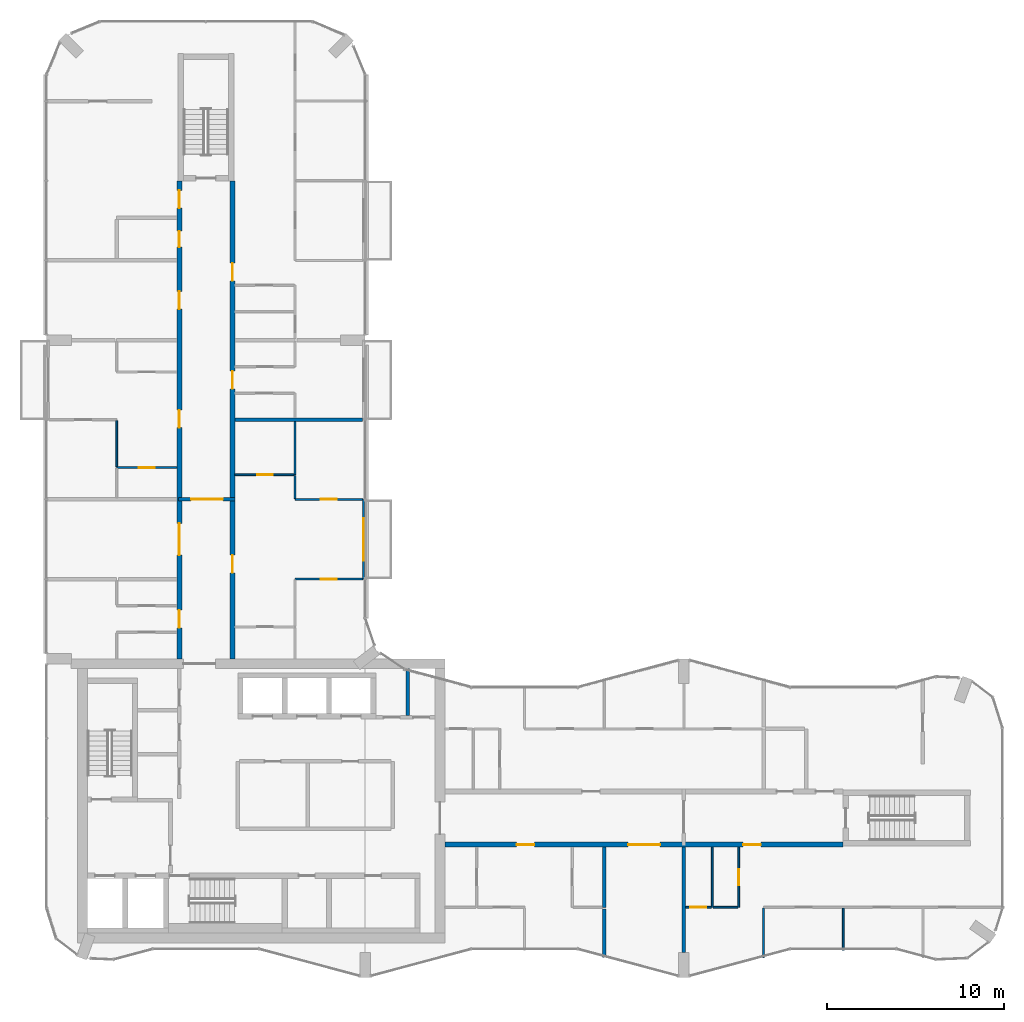
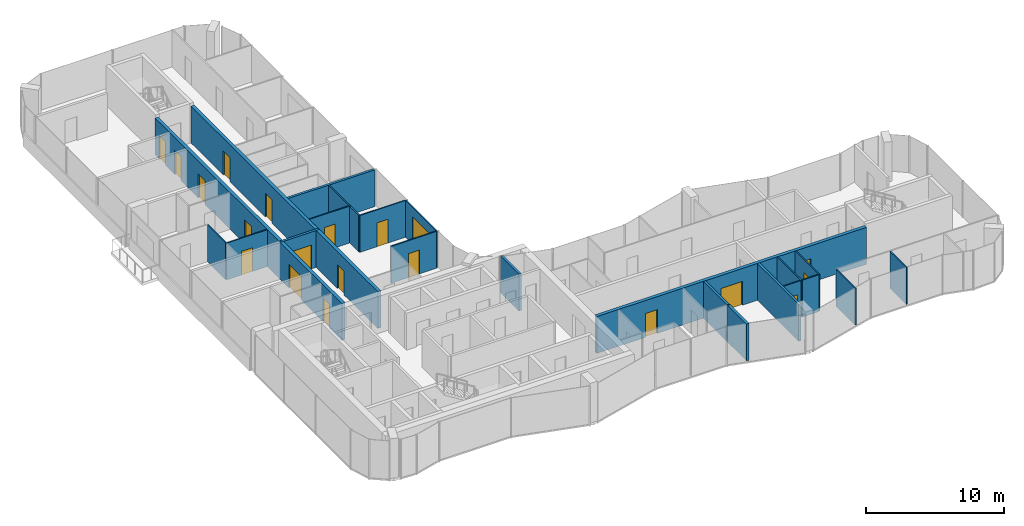
# One storey, part 11 of 15: 23 walls, 20 doors, 20 openings.
"""IFC4 building model written with IfcOpenShell, lengths in metres."""

from ifc_helpers import new_model, si_unit, direction, frame, frame_2d, origin, place, context, subcontext, project, spatial, rectangle, extrude, material, layer, layer_set, type_object, element, fill, save


model = new_model("IFC4")

# Units and contexts
model_context = context("Model", 3, precision=1e-05, world=origin(), true_north=direction((0.0, 1.0)))
body_context = subcontext(model_context, "Body", "Model", "MODEL_VIEW")
ifc_project = project(units=[si_unit("LENGTHUNIT", "METRE"), si_unit("AREAUNIT", "SQUARE_METRE"), si_unit("VOLUMEUNIT", "CUBIC_METRE"), si_unit("PLANEANGLEUNIT", "RADIAN"), si_unit("MASSUNIT", "GRAM", prefix="KILO")], contexts=[model_context])

# Site, building, storey
site_placement = place(None, origin())
site = spatial("IfcSite", under=ifc_project, at=site_placement, CompositionType="ELEMENT")
building_placement = place(site_placement, origin())
building = spatial("IfcBuilding", under=site, at=building_placement, Name="Plateau Cross Towers", CompositionType="ELEMENT")
storey_placement = place(building_placement, frame((0.0, 0.0, 201.39990234375)))
storey = spatial("IfcBuildingStorey", under=building, at=storey_placement, Name="L52", CompositionType="ELEMENT", Elevation=201.39990234375)

# Wall, opening, door
ifc_material_1 = material(Name="Aluminium framed glazing", Category="aluminium")
ifc_layer_1 = layer(ifc_material_1, 0.10009765625)
ifc_layer_set_1 = layer_set([ifc_layer_1], Name="Aluminium framed glazing")
wall_type_1 = type_object("IfcWallType", Name="Balcony screen wall 100", PredefinedType="STANDARD", material=ifc_layer_set_1)
wall_1_placement = place(storey_placement, frame((17.89990234375, 27.0, 0.0), z_axis=(0.0, 0.0, 1.0), x_axis=(0.0, -1.0, 0.0)))
wall_1 = element("IfcWall", 1, at=wall_1_placement, inside=storey, type_object=wall_type_1, Name="Balcony screen wall A-BAL-L52-02", PredefinedType="STANDARD", context=body_context, shape_type="SweptSolid", body=[
    extrude(rectangle(XDim=4.5, YDim=0.10009765625, at=frame_2d((2.25, 0.0))), origin(), (0.0, 0.0, 1.0), 3.25),
])
opening_1_placement = place(wall_1_placement, frame((1.050048828125, 0.0, 0.0)))
opening_1 = element("IfcOpeningElement", 2, at=opening_1_placement, cuts=wall_1, Name="Opening D-B24", PredefinedType="OPENING", context=body_context, shape_type="SweptSolid", body=[
    extrude(rectangle(XDim=2.39990234375, YDim=2.39990234375, at=frame_2d((1.199951171875, 1.199951171875))), frame((0.0, 0.06005859375, 0.0), z_axis=(0.0, -1.0, 0.0), x_axis=(1.0, 0.0, 0.0)), (0.0, 0.0, 1.0), 0.1201171875),
])
ifc_material_2 = material(Name="Aluminium frame, double glazing", Category="aluminium")
door_type_1 = type_object("IfcDoorType", Name="Balcony sliding door 2400", OperationType="NOTDEFINED", PredefinedType="DOOR", material=ifc_material_2)
door_1_placement = place(opening_1_placement, origin())
door_1 = element("IfcDoor", 3, at=door_1_placement, inside=storey, type_object=door_type_1, Name="Balcony door A-BAL-L52-02", OperationType="SINGLE_SWING_LEFT", OverallHeight=2.39990234375, OverallWidth=2.39990234375, PredefinedType="DOOR", context=body_context, shape_type="SweptSolid", body=[
    extrude(rectangle(XDim=2.39990234375, YDim=2.39990234375, at=frame_2d((1.199951171875, 1.199951171875))), frame((0.0, 0.02490234375, 0.0), z_axis=(0.0, -1.0, 0.0), x_axis=(1.0, 0.0, 0.0)), (0.0, 0.0, 1.0), 0.050048828125),
])
fill(opening_1, door_1)

# Wall
ifc_material_3 = material(Name="Concrete block, plastered both sides", Category="concrete")
ifc_layer_2 = layer(ifc_material_3, 0.199951171875)
ifc_layer_set_2 = layer_set([ifc_layer_2], Name="Concrete block, plastered both sides")
wall_type_2 = type_object("IfcWallType", Name="Core partition 200", PredefinedType="PARTITIONING", material=ifc_layer_set_2)
wall_2_placement = place(storey_placement, frame((20.39990234375, 14.800048828125, 0.0), z_axis=(0.0, 0.0, 1.0), x_axis=(0.0, 1.0, 0.0)))
element("IfcWall", 4, at=wall_2_placement, inside=storey, type_object=wall_type_2, Name="Core partition", PredefinedType="PARTITIONING", context=body_context, shape_type="SweptSolid", body=[
    extrude(rectangle(XDim=2.64990234375, YDim=0.199951171875, at=frame_2d((1.324951171875, 0.0))), origin(), (0.0, 0.0, 1.0), 3.25),
])

# Wall, openings, doors
ifc_material_4 = material(Name="Concrete C60/75", Category="concrete")
ifc_layer_3 = layer(ifc_material_4, 0.27490234375)
ifc_layer_set_3 = layer_set([ifc_layer_3], Name="Concrete C60/75")
wall_type_3 = type_object("IfcWallType", Name="Corridor wall 275", PredefinedType="SHEAR", material=ifc_layer_set_3)
wall_3_placement = place(storey_placement, frame((22.5, 7.5, 0.0), z_axis=(0.0, 0.0, 1.0), x_axis=(1.0, 0.0, 0.0)))
wall_3 = element("IfcWall", 5, at=wall_3_placement, inside=storey, type_object=wall_type_3, Name="A-cw-S1@L52", PredefinedType="SHEAR", context=body_context, shape_type="SweptSolid", body=[
    extrude(rectangle(XDim=22.5, YDim=0.27490234375, at=frame_2d((11.25, 0.0))), origin(), (0.0, 0.0, 1.0), 3.25),
])
opening_2_placement = place(wall_3_placement, frame((4.050048828125, 0.0, 0.0)))
opening_2 = element("IfcOpeningElement", 6, at=opening_2_placement, cuts=wall_3, Name="Opening 52-01", PredefinedType="OPENING", context=body_context, shape_type="SweptSolid", body=[
    extrude(rectangle(XDim=1.0, YDim=2.10009765625, at=frame_2d((0.5, 1.050048828125))), frame((0.0, 0.1474609375, 0.0), z_axis=(0.0, -1.0, 0.0), x_axis=(1.0, 0.0, 0.0)), (0.0, 0.0, 1.0), 0.294921875),
])
opening_3_placement = place(wall_3_placement, frame((10.35009765625, 0.0, 0.0)))
opening_3 = element("IfcOpeningElement", 7, at=opening_3_placement, cuts=wall_3, Name="Opening 52-02", PredefinedType="OPENING", context=body_context, shape_type="SweptSolid", body=[
    extrude(rectangle(XDim=1.800048828125, YDim=2.10009765625, at=frame_2d((0.89990234375, 1.050048828125))), frame((0.0, 0.1474609375, 0.0), z_axis=(0.0, -1.0, 0.0), x_axis=(1.0, 0.0, 0.0)), (0.0, 0.0, 1.0), 0.294921875),
])
opening_4_placement = place(wall_3_placement, frame((16.85009765625, 0.0, 0.0)))
opening_4 = element("IfcOpeningElement", 8, at=opening_4_placement, cuts=wall_3, Name="Opening 52-03", PredefinedType="OPENING", context=body_context, shape_type="SweptSolid", body=[
    extrude(rectangle(XDim=1.0, YDim=2.10009765625, at=frame_2d((0.5, 1.050048828125))), frame((0.0, 0.1474609375, 0.0), z_axis=(0.0, -1.0, 0.0), x_axis=(1.0, 0.0, 0.0)), (0.0, 0.0, 1.0), 0.294921875),
])
ifc_material_5 = material(Name="Timber, fire-resisting leaf", Category="wood")
door_type_2 = type_object("IfcDoorType", Name="Flat entrance door 1000", OperationType="NOTDEFINED", PredefinedType="DOOR", material=ifc_material_5)
door_2_placement = place(opening_2_placement, origin())
door_2 = element("IfcDoor", 9, at=door_2_placement, inside=storey, type_object=door_type_2, Name="Door 52-01", OperationType="SINGLE_SWING_LEFT", OverallHeight=2.10009765625, OverallWidth=1.0, PredefinedType="DOOR", context=body_context, shape_type="SweptSolid", body=[
    extrude(rectangle(XDim=1.0, YDim=2.10009765625, at=frame_2d((0.5, 1.050048828125))), frame((0.0, 0.02490234375, 0.0), z_axis=(0.0, -1.0, 0.0), x_axis=(1.0, 0.0, 0.0)), (0.0, 0.0, 1.0), 0.050048828125),
])
fill(opening_2, door_2)
door_3_placement = place(opening_4_placement, origin())
door_3 = element("IfcDoor", 10, at=door_3_placement, inside=storey, type_object=door_type_2, Name="Door 52-03", OperationType="SINGLE_SWING_RIGHT", OverallHeight=2.10009765625, OverallWidth=1.0, PredefinedType="DOOR", context=body_context, shape_type="SweptSolid", body=[
    extrude(rectangle(XDim=1.0, YDim=2.10009765625, at=frame_2d((0.5, 1.050048828125))), frame((0.0, 0.02490234375, 0.0), z_axis=(0.0, -1.0, 0.0), x_axis=(1.0, 0.0, 0.0)), (0.0, 0.0, 1.0), 0.050048828125),
])
fill(opening_4, door_3)
ifc_material_6 = material(Name="Timber, fire-resisting leaves", Category="wood")
door_type_3 = type_object("IfcDoorType", Name="Flat floor fire door pair 1800", OperationType="NOTDEFINED", PredefinedType="DOOR", material=ifc_material_6)
door_4_placement = place(opening_3_placement, origin())
door_4 = element("IfcDoor", 11, at=door_4_placement, inside=storey, type_object=door_type_3, Name="Door 52-02", OperationType="SINGLE_SWING_LEFT", OverallHeight=2.10009765625, OverallWidth=1.800048828125, PredefinedType="DOOR", context=body_context, shape_type="SweptSolid", body=[
    extrude(rectangle(XDim=1.800048828125, YDim=2.10009765625, at=frame_2d((0.89990234375, 1.050048828125))), frame((0.0, 0.02490234375, 0.0), z_axis=(0.0, -1.0, 0.0), x_axis=(1.0, 0.0, 0.0)), (0.0, 0.0, 1.0), 0.050048828125),
])
fill(opening_3, door_4)

wall_4_placement = place(storey_placement, frame((7.5, 18.0, 0.0), z_axis=(0.0, 0.0, 1.0), x_axis=(0.0, 1.0, 0.0)))
wall_4 = element("IfcWall", 12, at=wall_4_placement, inside=storey, type_object=wall_type_3, Name="A-cw-W1@L52", PredefinedType="SHEAR", context=body_context, shape_type="SweptSolid", body=[
    extrude(rectangle(XDim=27.0, YDim=0.27490234375, at=frame_2d((13.5, 0.0))), origin(), (0.0, 0.0, 1.0), 3.25),
])
opening_5_placement = place(wall_4_placement, frame((1.75, 0.0, 0.0)))
opening_5 = element("IfcOpeningElement", 13, at=opening_5_placement, cuts=wall_4, Name="Opening 52-07", PredefinedType="OPENING", context=body_context, shape_type="SweptSolid", body=[
    extrude(rectangle(XDim=1.0, YDim=2.10009765625, at=frame_2d((0.5, 1.050048828125))), frame((0.0, 0.1474609375, 0.0), z_axis=(0.0, -1.0, 0.0), x_axis=(1.0, 0.0, 0.0)), (0.0, 0.0, 1.0), 0.294921875),
])
opening_6_placement = place(wall_4_placement, frame((5.85009765625, 0.0, 0.0)))
opening_6 = element("IfcOpeningElement", 14, at=opening_6_placement, cuts=wall_4, Name="Opening 52-08", PredefinedType="OPENING", context=body_context, shape_type="SweptSolid", body=[
    extrude(rectangle(XDim=1.800048828125, YDim=2.10009765625, at=frame_2d((0.89990234375, 1.050048828125))), frame((0.0, 0.1474609375, 0.0), z_axis=(0.0, -1.0, 0.0), x_axis=(1.0, 0.0, 0.0)), (0.0, 0.0, 1.0), 0.294921875),
])
opening_7_placement = place(wall_4_placement, frame((13.050048828125, 0.0, 0.0)))
opening_7 = element("IfcOpeningElement", 15, at=opening_7_placement, cuts=wall_4, Name="Opening 52-09", PredefinedType="OPENING", context=body_context, shape_type="SweptSolid", body=[
    extrude(rectangle(XDim=1.0, YDim=2.10009765625, at=frame_2d((0.5, 1.050048828125))), frame((0.0, 0.1474609375, 0.0), z_axis=(0.0, -1.0, 0.0), x_axis=(1.0, 0.0, 0.0)), (0.0, 0.0, 1.0), 0.294921875),
])
opening_8_placement = place(wall_4_placement, frame((19.75, 0.0, 0.0)))
opening_8 = element("IfcOpeningElement", 16, at=opening_8_placement, cuts=wall_4, Name="Opening 52-10", PredefinedType="OPENING", context=body_context, shape_type="SweptSolid", body=[
    extrude(rectangle(XDim=1.0, YDim=2.10009765625, at=frame_2d((0.5, 1.050048828125))), frame((0.0, 0.1474609375, 0.0), z_axis=(0.0, -1.0, 0.0), x_axis=(1.0, 0.0, 0.0)), (0.0, 0.0, 1.0), 0.294921875),
])
opening_9_placement = place(wall_4_placement, frame((23.25, 0.0, 0.0)))
opening_9 = element("IfcOpeningElement", 17, at=opening_9_placement, cuts=wall_4, Name="Opening 52-11", PredefinedType="OPENING", context=body_context, shape_type="SweptSolid", body=[
    extrude(rectangle(XDim=0.89990234375, YDim=2.10009765625, at=frame_2d((0.449951171875, 1.050048828125))), frame((0.0, 0.1474609375, 0.0), z_axis=(0.0, -1.0, 0.0), x_axis=(1.0, 0.0, 0.0)), (0.0, 0.0, 1.0), 0.294921875),
])
opening_10_placement = place(wall_4_placement, frame((25.449951171875, 0.0, 0.0)))
opening_10 = element("IfcOpeningElement", 18, at=opening_10_placement, cuts=wall_4, Name="Opening 52-12", PredefinedType="OPENING", context=body_context, shape_type="SweptSolid", body=[
    extrude(rectangle(XDim=1.0, YDim=2.10009765625, at=frame_2d((0.5, 1.050048828125))), frame((0.0, 0.1474609375, 0.0), z_axis=(0.0, -1.0, 0.0), x_axis=(1.0, 0.0, 0.0)), (0.0, 0.0, 1.0), 0.294921875),
])
door_5_placement = place(opening_5_placement, origin())
door_5 = element("IfcDoor", 19, at=door_5_placement, inside=storey, type_object=door_type_2, Name="Door 52-07", OperationType="SINGLE_SWING_LEFT", OverallHeight=2.10009765625, OverallWidth=1.0, PredefinedType="DOOR", context=body_context, shape_type="SweptSolid", body=[
    extrude(rectangle(XDim=1.0, YDim=2.10009765625, at=frame_2d((0.5, 1.050048828125))), frame((0.0, 0.02490234375, 0.0), z_axis=(0.0, -1.0, 0.0), x_axis=(1.0, 0.0, 0.0)), (0.0, 0.0, 1.0), 0.050048828125),
])
fill(opening_5, door_5)
door_6_placement = place(opening_7_placement, origin())
door_6 = element("IfcDoor", 20, at=door_6_placement, inside=storey, type_object=door_type_2, Name="Door 52-09", OperationType="SINGLE_SWING_RIGHT", OverallHeight=2.10009765625, OverallWidth=1.0, PredefinedType="DOOR", context=body_context, shape_type="SweptSolid", body=[
    extrude(rectangle(XDim=1.0, YDim=2.10009765625, at=frame_2d((0.5, 1.050048828125))), frame((0.0, 0.02490234375, 0.0), z_axis=(0.0, -1.0, 0.0), x_axis=(1.0, 0.0, 0.0)), (0.0, 0.0, 1.0), 0.050048828125),
])
fill(opening_7, door_6)
door_7_placement = place(opening_8_placement, origin())
door_7 = element("IfcDoor", 21, at=door_7_placement, inside=storey, type_object=door_type_2, Name="Door 52-10", OperationType="SINGLE_SWING_RIGHT", OverallHeight=2.10009765625, OverallWidth=1.0, PredefinedType="DOOR", context=body_context, shape_type="SweptSolid", body=[
    extrude(rectangle(XDim=1.0, YDim=2.10009765625, at=frame_2d((0.5, 1.050048828125))), frame((0.0, 0.02490234375, 0.0), z_axis=(0.0, -1.0, 0.0), x_axis=(1.0, 0.0, 0.0)), (0.0, 0.0, 1.0), 0.050048828125),
])
fill(opening_8, door_7)
door_8_placement = place(opening_10_placement, origin())
door_8 = element("IfcDoor", 22, at=door_8_placement, inside=storey, type_object=door_type_2, Name="Door 52-12", OperationType="SINGLE_SWING_RIGHT", OverallHeight=2.10009765625, OverallWidth=1.0, PredefinedType="DOOR", context=body_context, shape_type="SweptSolid", body=[
    extrude(rectangle(XDim=1.0, YDim=2.10009765625, at=frame_2d((0.5, 1.050048828125))), frame((0.0, 0.02490234375, 0.0), z_axis=(0.0, -1.0, 0.0), x_axis=(1.0, 0.0, 0.0)), (0.0, 0.0, 1.0), 0.050048828125),
])
fill(opening_10, door_8)
door_9_placement = place(opening_6_placement, origin())
door_9 = element("IfcDoor", 23, at=door_9_placement, inside=storey, type_object=door_type_3, Name="Door 52-08", OperationType="SINGLE_SWING_LEFT", OverallHeight=2.10009765625, OverallWidth=1.800048828125, PredefinedType="DOOR", context=body_context, shape_type="SweptSolid", body=[
    extrude(rectangle(XDim=1.800048828125, YDim=2.10009765625, at=frame_2d((0.89990234375, 1.050048828125))), frame((0.0, 0.02490234375, 0.0), z_axis=(0.0, -1.0, 0.0), x_axis=(1.0, 0.0, 0.0)), (0.0, 0.0, 1.0), 0.050048828125),
])
fill(opening_6, door_9)
door_type_4 = type_object("IfcDoorType", Name="Flat floor service door 900", OperationType="NOTDEFINED", PredefinedType="DOOR", material=ifc_material_5)
door_10_placement = place(opening_9_placement, origin())
door_10 = element("IfcDoor", 24, at=door_10_placement, inside=storey, type_object=door_type_4, Name="Door 52-11", OperationType="SINGLE_SWING_RIGHT", OverallHeight=2.10009765625, OverallWidth=0.89990234375, PredefinedType="DOOR", context=body_context, shape_type="SweptSolid", body=[
    extrude(rectangle(XDim=0.89990234375, YDim=2.10009765625, at=frame_2d((0.449951171875, 1.050048828125))), frame((0.0, 0.02490234375, 0.0), z_axis=(0.0, -1.0, 0.0), x_axis=(1.0, 0.0, 0.0)), (0.0, 0.0, 1.0), 0.050048828125),
])
fill(opening_9, door_10)

wall_5_placement = place(storey_placement, frame((10.5, 18.0, 0.0), z_axis=(0.0, 0.0, 1.0), x_axis=(0.0, 1.0, 0.0)))
wall_5 = element("IfcWall", 25, at=wall_5_placement, inside=storey, type_object=wall_type_3, Name="A-cw-W2@L52", PredefinedType="SHEAR", context=body_context, shape_type="SweptSolid", body=[
    extrude(rectangle(XDim=27.0, YDim=0.27490234375, at=frame_2d((13.5, 0.0))), origin(), (0.0, 0.0, 1.0), 3.25),
])
opening_11_placement = place(wall_5_placement, frame((4.85009765625, 0.0, 0.0)))
opening_11 = element("IfcOpeningElement", 26, at=opening_11_placement, cuts=wall_5, Name="Opening 52-13", PredefinedType="OPENING", context=body_context, shape_type="SweptSolid", body=[
    extrude(rectangle(XDim=1.0, YDim=2.10009765625, at=frame_2d((0.5, 1.050048828125))), frame((0.0, 0.1474609375, 0.0), z_axis=(0.0, -1.0, 0.0), x_axis=(1.0, 0.0, 0.0)), (0.0, 0.0, 1.0), 0.294921875),
])
opening_12_placement = place(wall_5_placement, frame((15.25, 0.0, 0.0)))
opening_12 = element("IfcOpeningElement", 27, at=opening_12_placement, cuts=wall_5, Name="Opening 52-14", PredefinedType="OPENING", context=body_context, shape_type="SweptSolid", body=[
    extrude(rectangle(XDim=1.0, YDim=2.10009765625, at=frame_2d((0.5, 1.050048828125))), frame((0.0, 0.1474609375, 0.0), z_axis=(0.0, -1.0, 0.0), x_axis=(1.0, 0.0, 0.0)), (0.0, 0.0, 1.0), 0.294921875),
])
opening_13_placement = place(wall_5_placement, frame((21.35009765625, 0.0, 0.0)))
opening_13 = element("IfcOpeningElement", 28, at=opening_13_placement, cuts=wall_5, Name="Opening 52-15", PredefinedType="OPENING", context=body_context, shape_type="SweptSolid", body=[
    extrude(rectangle(XDim=1.0, YDim=2.10009765625, at=frame_2d((0.5, 1.050048828125))), frame((0.0, 0.1474609375, 0.0), z_axis=(0.0, -1.0, 0.0), x_axis=(1.0, 0.0, 0.0)), (0.0, 0.0, 1.0), 0.294921875),
])
door_11_placement = place(opening_11_placement, origin())
door_11 = element("IfcDoor", 29, at=door_11_placement, inside=storey, type_object=door_type_2, Name="Door 52-13", OperationType="SINGLE_SWING_LEFT", OverallHeight=2.10009765625, OverallWidth=1.0, PredefinedType="DOOR", context=body_context, shape_type="SweptSolid", body=[
    extrude(rectangle(XDim=1.0, YDim=2.10009765625, at=frame_2d((0.5, 1.050048828125))), frame((0.0, 0.02490234375, 0.0), z_axis=(0.0, -1.0, 0.0), x_axis=(1.0, 0.0, 0.0)), (0.0, 0.0, 1.0), 0.050048828125),
])
fill(opening_11, door_11)
door_12_placement = place(opening_12_placement, origin())
door_12 = element("IfcDoor", 30, at=door_12_placement, inside=storey, type_object=door_type_2, Name="Door 52-14", OperationType="SINGLE_SWING_RIGHT", OverallHeight=2.10009765625, OverallWidth=1.0, PredefinedType="DOOR", context=body_context, shape_type="SweptSolid", body=[
    extrude(rectangle(XDim=1.0, YDim=2.10009765625, at=frame_2d((0.5, 1.050048828125))), frame((0.0, 0.02490234375, 0.0), z_axis=(0.0, -1.0, 0.0), x_axis=(1.0, 0.0, 0.0)), (0.0, 0.0, 1.0), 0.050048828125),
])
fill(opening_12, door_12)
door_13_placement = place(opening_13_placement, origin())
door_13 = element("IfcDoor", 31, at=door_13_placement, inside=storey, type_object=door_type_2, Name="Door 52-15", OperationType="SINGLE_SWING_RIGHT", OverallHeight=2.10009765625, OverallWidth=1.0, PredefinedType="DOOR", context=body_context, shape_type="SweptSolid", body=[
    extrude(rectangle(XDim=1.0, YDim=2.10009765625, at=frame_2d((0.5, 1.050048828125))), frame((0.0, 0.02490234375, 0.0), z_axis=(0.0, -1.0, 0.0), x_axis=(1.0, 0.0, 0.0)), (0.0, 0.0, 1.0), 0.050048828125),
])
fill(opening_13, door_13)

# Wall, opening, door
ifc_material_7 = material(Name="Gypsum board on steel studs", Category="steel")
ifc_layer_4 = layer(ifc_material_7, 0.10009765625)
ifc_layer_set_4 = layer_set([ifc_layer_4], Name="Gypsum board on steel studs")
wall_type_4 = type_object("IfcWallType", Name="Flat partition 100", PredefinedType="PARTITIONING", material=ifc_layer_set_4)
wall_6_placement = place(storey_placement, frame((36.10009765625, 3.96240234375, 0.0), z_axis=(0.0, 0.0, 1.0), x_axis=(1.0, 0.0, 0.0)))
wall_6 = element("IfcWall", 32, at=wall_6_placement, inside=storey, type_object=wall_type_4, Name="Partition wall", PredefinedType="PARTITIONING", context=body_context, shape_type="SweptSolid", body=[
    extrude(rectangle(XDim=1.449951171875, YDim=0.10009765625, at=frame_2d((0.72509765625, 0.0))), origin(), (0.0, 0.0, 1.0), 3.25),
])
opening_14_placement = place(wall_6_placement, frame((0.25, 0.0, 0.0)))
opening_14 = element("IfcOpeningElement", 33, at=opening_14_placement, cuts=wall_6, Name="Opening 52-23", PredefinedType="OPENING", context=body_context, shape_type="SweptSolid", body=[
    extrude(rectangle(XDim=0.89990234375, YDim=2.10009765625, at=frame_2d((0.449951171875, 1.050048828125))), frame((0.0, 0.06005859375, 0.0), z_axis=(0.0, -1.0, 0.0), x_axis=(1.0, 0.0, 0.0)), (0.0, 0.0, 1.0), 0.1201171875),
])
ifc_material_8 = material(Name="Timber leaf", Category="wood")
door_type_5 = type_object("IfcDoorType", Name="Flat room door 900", OperationType="NOTDEFINED", PredefinedType="DOOR", material=ifc_material_8)
door_14_placement = place(opening_14_placement, origin())
door_14 = element("IfcDoor", 34, at=door_14_placement, inside=storey, type_object=door_type_5, Name="Door 52-23", OperationType="SINGLE_SWING_LEFT", OverallHeight=2.10009765625, OverallWidth=0.89990234375, PredefinedType="DOOR", context=body_context, shape_type="SweptSolid", body=[
    extrude(rectangle(XDim=0.89990234375, YDim=2.10009765625, at=frame_2d((0.449951171875, 1.050048828125))), frame((0.0, 0.02490234375, 0.0), z_axis=(0.0, -1.0, 0.0), x_axis=(1.0, 0.0, 0.0)), (0.0, 0.0, 1.0), 0.050048828125),
])
fill(opening_14, door_14)

# Wall
wall_7_placement = place(storey_placement, frame((37.64990234375, 3.96240234375, 0.0), z_axis=(0.0, 0.0, 1.0), x_axis=(1.0, 0.0, 0.0)))
element("IfcWall", 35, at=wall_7_placement, inside=storey, type_object=wall_type_4, Name="Partition wall", PredefinedType="PARTITIONING", context=body_context, shape_type="SweptSolid", body=[
    extrude(rectangle(XDim=1.400146484375, YDim=0.10009765625, at=frame_2d((0.7001953125, 0.0))), origin(), (0.0, 0.0, 1.0), 3.25),
])

# Wall, opening, door
wall_8_placement = place(storey_placement, frame((17.85009765625, 22.5, 0.0), z_axis=(0.0, 0.0, 1.0), x_axis=(-1.0, 0.0, 0.0)))
wall_8 = element("IfcWall", 36, at=wall_8_placement, inside=storey, type_object=wall_type_4, Name="Partition wall", PredefinedType="PARTITIONING", context=body_context, shape_type="SweptSolid", body=[
    extrude(rectangle(XDim=3.8125, YDim=0.10009765625, at=frame_2d((1.90625, 0.0))), origin(), (0.0, 0.0, 1.0), 3.25),
])
opening_15_placement = place(wall_8_placement, frame((1.449951171875, 0.0, 0.0)))
opening_15 = element("IfcOpeningElement", 37, at=opening_15_placement, cuts=wall_8, Name="Opening 52-40", PredefinedType="OPENING", context=body_context, shape_type="SweptSolid", body=[
    extrude(rectangle(XDim=0.89990234375, YDim=2.10009765625, at=frame_2d((0.449951171875, 1.050048828125))), frame((0.0, 0.06005859375, 0.0), z_axis=(0.0, -1.0, 0.0), x_axis=(1.0, 0.0, 0.0)), (0.0, 0.0, 1.0), 0.1201171875),
])
door_15_placement = place(opening_15_placement, origin())
door_15 = element("IfcDoor", 38, at=door_15_placement, inside=storey, type_object=door_type_5, Name="Door 52-40", OperationType="SINGLE_SWING_LEFT", OverallHeight=2.10009765625, OverallWidth=0.89990234375, PredefinedType="DOOR", context=body_context, shape_type="SweptSolid", body=[
    extrude(rectangle(XDim=0.89990234375, YDim=2.10009765625, at=frame_2d((0.449951171875, 1.050048828125))), frame((0.0, 0.02490234375, 0.0), z_axis=(0.0, -1.0, 0.0), x_axis=(1.0, 0.0, 0.0)), (0.0, 0.0, 1.0), 0.050048828125),
])
fill(opening_15, door_15)

wall_9_placement = place(storey_placement, frame((14.03759765625, 27.0, 0.0), z_axis=(0.0, 0.0, 1.0), x_axis=(1.0, 0.0, 0.0)))
wall_9 = element("IfcWall", 39, at=wall_9_placement, inside=storey, type_object=wall_type_4, Name="Partition wall", PredefinedType="PARTITIONING", context=body_context, shape_type="SweptSolid", body=[
    extrude(rectangle(XDim=3.8125, YDim=0.10009765625, at=frame_2d((1.90625, 0.0))), origin(), (0.0, 0.0, 1.0), 3.25),
])
opening_16_placement = place(wall_9_placement, frame((1.449951171875, 0.0, 0.0)))
opening_16 = element("IfcOpeningElement", 40, at=opening_16_placement, cuts=wall_9, Name="Opening 52-41", PredefinedType="OPENING", context=body_context, shape_type="SweptSolid", body=[
    extrude(rectangle(XDim=0.89990234375, YDim=2.10009765625, at=frame_2d((0.449951171875, 1.050048828125))), frame((0.0, 0.06005859375, 0.0), z_axis=(0.0, -1.0, 0.0), x_axis=(1.0, 0.0, 0.0)), (0.0, 0.0, 1.0), 0.1201171875),
])
door_16_placement = place(opening_16_placement, origin())
door_16 = element("IfcDoor", 41, at=door_16_placement, inside=storey, type_object=door_type_5, Name="Door 52-41", OperationType="SINGLE_SWING_LEFT", OverallHeight=2.10009765625, OverallWidth=0.89990234375, PredefinedType="DOOR", context=body_context, shape_type="SweptSolid", body=[
    extrude(rectangle(XDim=0.89990234375, YDim=2.10009765625, at=frame_2d((0.449951171875, 1.050048828125))), frame((0.0, 0.02490234375, 0.0), z_axis=(0.0, -1.0, 0.0), x_axis=(1.0, 0.0, 0.0)), (0.0, 0.0, 1.0), 0.050048828125),
])
fill(opening_16, door_16)

wall_10_placement = place(storey_placement, frame((10.637451171875, 28.39990234375, 0.0), z_axis=(0.0, 0.0, 1.0), x_axis=(1.0, 0.0, 0.0)))
wall_10 = element("IfcWall", 42, at=wall_10_placement, inside=storey, type_object=wall_type_4, Name="Partition wall", PredefinedType="PARTITIONING", context=body_context, shape_type="SweptSolid", body=[
    extrude(rectangle(XDim=3.35009765625, YDim=0.10009765625, at=frame_2d((1.675048828125, 0.0))), origin(), (0.0, 0.0, 1.0), 3.25),
])
opening_17_placement = place(wall_10_placement, frame((1.25, 0.0, 0.0)))
opening_17 = element("IfcOpeningElement", 43, at=opening_17_placement, cuts=wall_10, Name="Opening 52-39", PredefinedType="OPENING", context=body_context, shape_type="SweptSolid", body=[
    extrude(rectangle(XDim=0.89990234375, YDim=2.10009765625, at=frame_2d((0.449951171875, 1.050048828125))), frame((0.0, 0.06005859375, 0.0), z_axis=(0.0, -1.0, 0.0), x_axis=(1.0, 0.0, 0.0)), (0.0, 0.0, 1.0), 0.1201171875),
])
door_17_placement = place(opening_17_placement, origin())
door_17 = element("IfcDoor", 44, at=door_17_placement, inside=storey, type_object=door_type_5, Name="Door 52-39", OperationType="SINGLE_SWING_RIGHT", OverallHeight=2.10009765625, OverallWidth=0.89990234375, PredefinedType="DOOR", context=body_context, shape_type="SweptSolid", body=[
    extrude(rectangle(XDim=0.89990234375, YDim=2.10009765625, at=frame_2d((0.449951171875, 1.050048828125))), frame((0.0, 0.02490234375, 0.0), z_axis=(0.0, -1.0, 0.0), x_axis=(1.0, 0.0, 0.0)), (0.0, 0.0, 1.0), 0.050048828125),
])
fill(opening_17, door_17)

wall_11_placement = place(storey_placement, frame((7.362548828125, 28.800048828125, 0.0), z_axis=(0.0, 0.0, 1.0), x_axis=(-1.0, 0.0, 0.0)))
wall_11 = element("IfcWall", 45, at=wall_11_placement, inside=storey, type_object=wall_type_4, Name="Partition wall", PredefinedType="PARTITIONING", context=body_context, shape_type="SweptSolid", body=[
    extrude(rectangle(XDim=3.400146484375, YDim=0.10009765625, at=frame_2d((1.7001953125, 0.0))), origin(), (0.0, 0.0, 1.0), 3.25),
])
opening_18_placement = place(wall_11_placement, frame((1.25, 0.0, 0.0)))
opening_18 = element("IfcOpeningElement", 46, at=opening_18_placement, cuts=wall_11, Name="Opening 52-35", PredefinedType="OPENING", context=body_context, shape_type="SweptSolid", body=[
    extrude(rectangle(XDim=0.89990234375, YDim=2.10009765625, at=frame_2d((0.449951171875, 1.050048828125))), frame((0.0, 0.06005859375, 0.0), z_axis=(0.0, -1.0, 0.0), x_axis=(1.0, 0.0, 0.0)), (0.0, 0.0, 1.0), 0.1201171875),
])
door_18_placement = place(opening_18_placement, origin())
door_18 = element("IfcDoor", 47, at=door_18_placement, inside=storey, type_object=door_type_5, Name="Door 52-35", OperationType="SINGLE_SWING_LEFT", OverallHeight=2.10009765625, OverallWidth=0.89990234375, PredefinedType="DOOR", context=body_context, shape_type="SweptSolid", body=[
    extrude(rectangle(XDim=0.89990234375, YDim=2.10009765625, at=frame_2d((0.449951171875, 1.050048828125))), frame((0.0, 0.02490234375, 0.0), z_axis=(0.0, -1.0, 0.0), x_axis=(1.0, 0.0, 0.0)), (0.0, 0.0, 1.0), 0.050048828125),
])
fill(opening_18, door_18)

# Walls
wall_12_placement = place(storey_placement, frame((3.96240234375, 28.85009765625, 0.0), z_axis=(0.0, 0.0, 1.0), x_axis=(0.0, 1.0, 0.0)))
element("IfcWall", 48, at=wall_12_placement, inside=storey, type_object=wall_type_4, Name="Partition wall", PredefinedType="PARTITIONING", context=body_context, shape_type="SweptSolid", body=[
    extrude(rectangle(XDim=2.599853515625, YDim=0.10009765625, at=frame_2d((1.2998046875, 0.0))), origin(), (0.0, 0.0, 1.0), 3.25),
])
wall_13_placement = place(storey_placement, frame((14.03759765625, 28.35009765625, 0.0), z_axis=(0.0, 0.0, 1.0), x_axis=(0.0, -1.0, 0.0)))
element("IfcWall", 49, at=wall_13_placement, inside=storey, type_object=wall_type_4, Name="Partition wall", PredefinedType="PARTITIONING", context=body_context, shape_type="SweptSolid", body=[
    extrude(rectangle(XDim=1.300048828125, YDim=0.10009765625, at=frame_2d((0.64990234375, 0.0))), origin(), (0.0, 0.0, 1.0), 3.25),
])
wall_14_placement = place(storey_placement, frame((14.03759765625, 28.39990234375, 0.0), z_axis=(0.0, 0.0, 1.0), x_axis=(0.0, 1.0, 0.0)))
element("IfcWall", 50, at=wall_14_placement, inside=storey, type_object=wall_type_4, Name="Partition wall", PredefinedType="PARTITIONING", context=body_context, shape_type="SweptSolid", body=[
    extrude(rectangle(XDim=3.0, YDim=0.10009765625, at=frame_2d((1.5, 0.0))), origin(), (0.0, 0.0, 1.0), 3.25),
])
wall_15_placement = place(storey_placement, frame((37.60009765625, 3.96240234375, 0.0), z_axis=(0.0, 0.0, 1.0), x_axis=(0.0, 1.0, 0.0)))
element("IfcWall", 51, at=wall_15_placement, inside=storey, type_object=wall_type_4, Name="Partition wall", PredefinedType="PARTITIONING", context=body_context, shape_type="SweptSolid", body=[
    extrude(rectangle(XDim=3.400146484375, YDim=0.10009765625, at=frame_2d((1.7001953125, 0.0))), origin(), (0.0, 0.0, 1.0), 3.25),
])

# Wall, opening, door
wall_16_placement = place(storey_placement, frame((39.10009765625, 3.96240234375, 0.0), z_axis=(0.0, 0.0, 1.0), x_axis=(0.0, 1.0, 0.0)))
wall_16 = element("IfcWall", 52, at=wall_16_placement, inside=storey, type_object=wall_type_4, Name="Partition wall", PredefinedType="PARTITIONING", context=body_context, shape_type="SweptSolid", body=[
    extrude(rectangle(XDim=3.400146484375, YDim=0.10009765625, at=frame_2d((1.7001953125, 0.0))), origin(), (0.0, 0.0, 1.0), 3.25),
])
opening_19_placement = place(wall_16_placement, frame((1.25, 0.0, 0.0)))
opening_19 = element("IfcOpeningElement", 53, at=opening_19_placement, cuts=wall_16, Name="Opening 52-24", PredefinedType="OPENING", context=body_context, shape_type="SweptSolid", body=[
    extrude(rectangle(XDim=0.89990234375, YDim=2.10009765625, at=frame_2d((0.449951171875, 1.050048828125))), frame((0.0, 0.06005859375, 0.0), z_axis=(0.0, -1.0, 0.0), x_axis=(1.0, 0.0, 0.0)), (0.0, 0.0, 1.0), 0.1201171875),
])
door_19_placement = place(opening_19_placement, origin())
door_19 = element("IfcDoor", 54, at=door_19_placement, inside=storey, type_object=door_type_5, Name="Door 52-24", OperationType="SINGLE_SWING_LEFT", OverallHeight=2.10009765625, OverallWidth=0.89990234375, PredefinedType="DOOR", context=body_context, shape_type="SweptSolid", body=[
    extrude(rectangle(XDim=0.89990234375, YDim=2.10009765625, at=frame_2d((0.449951171875, 1.050048828125))), frame((0.0, 0.02490234375, 0.0), z_axis=(0.0, -1.0, 0.0), x_axis=(1.0, 0.0, 0.0)), (0.0, 0.0, 1.0), 0.050048828125),
])
fill(opening_19, door_19)

# Walls
wall_17_placement = place(storey_placement, frame((40.5, 3.91259765625, 0.0), z_axis=(0.0, 0.0, 1.0), x_axis=(0.0, -1.0, 0.0)))
element("IfcWall", 55, at=wall_17_placement, inside=storey, type_object=wall_type_4, Name="Partition wall", PredefinedType="PARTITIONING", context=body_context, shape_type="SweptSolid", body=[
    extrude(rectangle(XDim=2.790283203125, YDim=0.10009765625, at=frame_2d((1.39501953125, 0.0))), origin(), (0.0, 0.0, 1.0), 3.25),
])
wall_18_placement = place(storey_placement, frame((45.0, 1.52685546875, 0.0), z_axis=(0.0, 0.0, 1.0), x_axis=(0.0, 1.0, 0.0)))
element("IfcWall", 56, at=wall_18_placement, inside=storey, type_object=wall_type_4, Name="Partition wall", PredefinedType="PARTITIONING", context=body_context, shape_type="SweptSolid", body=[
    extrude(rectangle(XDim=2.3857421875, YDim=0.10009765625, at=frame_2d((1.19287109375, 0.0))), origin(), (0.0, 0.0, 1.0), 3.25),
])
ifc_material_9 = material(Name="Gypsum board on steel studs, two layers each side", Category="steel")
ifc_layer_5 = layer(ifc_material_9, 0.199951171875)
ifc_layer_set_5 = layer_set([ifc_layer_5], Name="Gypsum board on steel studs, two layers each side")
wall_type_5 = type_object("IfcWallType", Name="Flat party wall 200", PredefinedType="PARTITIONING", material=ifc_layer_set_5)
wall_19_placement = place(storey_placement, frame((17.85009765625, 31.5, 0.0), z_axis=(0.0, 0.0, 1.0), x_axis=(-1.0, 0.0, 0.0)))
element("IfcWall", 57, at=wall_19_placement, inside=storey, type_object=wall_type_5, Name="Party wall", PredefinedType="PARTITIONING", context=body_context, shape_type="SweptSolid", body=[
    extrude(rectangle(XDim=7.212646484375, YDim=0.199951171875, at=frame_2d((3.6064453125, 0.0))), origin(), (0.0, 0.0, 1.0), 3.25),
])
wall_20_placement = place(storey_placement, frame((31.5, 3.862548828125, 0.0), z_axis=(0.0, 0.0, 1.0), x_axis=(0.0, -1.0, 0.0)))
element("IfcWall", 58, at=wall_20_placement, inside=storey, type_object=wall_type_5, Name="Party wall", PredefinedType="PARTITIONING", context=body_context, shape_type="SweptSolid", body=[
    extrude(rectangle(XDim=2.740234375, YDim=0.199951171875, at=frame_2d((1.3701171875, 0.0))), origin(), (0.0, 0.0, 1.0), 3.25),
])
wall_21_placement = place(storey_placement, frame((31.5, 3.96240234375, 0.0), z_axis=(0.0, 0.0, 1.0), x_axis=(0.0, 1.0, 0.0)))
element("IfcWall", 59, at=wall_21_placement, inside=storey, type_object=wall_type_5, Name="Party wall", PredefinedType="PARTITIONING", context=body_context, shape_type="SweptSolid", body=[
    extrude(rectangle(XDim=3.400146484375, YDim=0.199951171875, at=frame_2d((1.7001953125, 0.0))), origin(), (0.0, 0.0, 1.0), 3.25),
])
wall_22_placement = place(storey_placement, frame((36.0, 1.39990234375, 0.0), z_axis=(0.0, 0.0, 1.0), x_axis=(0.0, 1.0, 0.0)))
element("IfcWall", 60, at=wall_22_placement, inside=storey, type_object=wall_type_5, Name="Party wall", PredefinedType="PARTITIONING", context=body_context, shape_type="SweptSolid", body=[
    extrude(rectangle(XDim=5.962646484375, YDim=0.199951171875, at=frame_2d((2.9814453125, 0.0))), origin(), (0.0, 0.0, 1.0), 3.25),
])

# Wall, opening, door
wall_23_placement = place(storey_placement, frame((7.46240234375, 27.0, 0.0), z_axis=(0.0, 0.0, 1.0), x_axis=(1.0, 0.0, 0.0)))
wall_23 = element("IfcWall", 61, at=wall_23_placement, inside=storey, type_object=wall_type_5, Name="Party wall", PredefinedType="PARTITIONING", context=body_context, shape_type="SweptSolid", body=[
    extrude(rectangle(XDim=3.175048828125, YDim=0.199951171875, at=frame_2d((1.58740234375, 0.0))), origin(), (0.0, 0.0, 1.0), 3.25),
])
opening_20_placement = place(wall_23_placement, frame((0.699951171875, 0.0, 0.0)))
opening_20 = element("IfcOpeningElement", 62, at=opening_20_placement, cuts=wall_23, Name="Opening 52-17", PredefinedType="OPENING", context=body_context, shape_type="SweptSolid", body=[
    extrude(rectangle(XDim=1.800048828125, YDim=2.10009765625, at=frame_2d((0.89990234375, 1.050048828125))), frame((0.0, 0.10986328125, 0.0), z_axis=(0.0, -1.0, 0.0), x_axis=(1.0, 0.0, 0.0)), (0.0, 0.0, 1.0), 0.219970703125),
])
door_20_placement = place(opening_20_placement, origin())
door_20 = element("IfcDoor", 63, at=door_20_placement, inside=storey, type_object=door_type_3, Name="Door 52-17", OperationType="SINGLE_SWING_RIGHT", OverallHeight=2.10009765625, OverallWidth=1.800048828125, PredefinedType="DOOR", context=body_context, shape_type="SweptSolid", body=[
    extrude(rectangle(XDim=1.800048828125, YDim=2.10009765625, at=frame_2d((0.89990234375, 1.050048828125))), frame((0.0, 0.02490234375, 0.0), z_axis=(0.0, -1.0, 0.0), x_axis=(1.0, 0.0, 0.0)), (0.0, 0.0, 1.0), 0.050048828125),
])
fill(opening_20, door_20)

save(model, "model.ifc")
